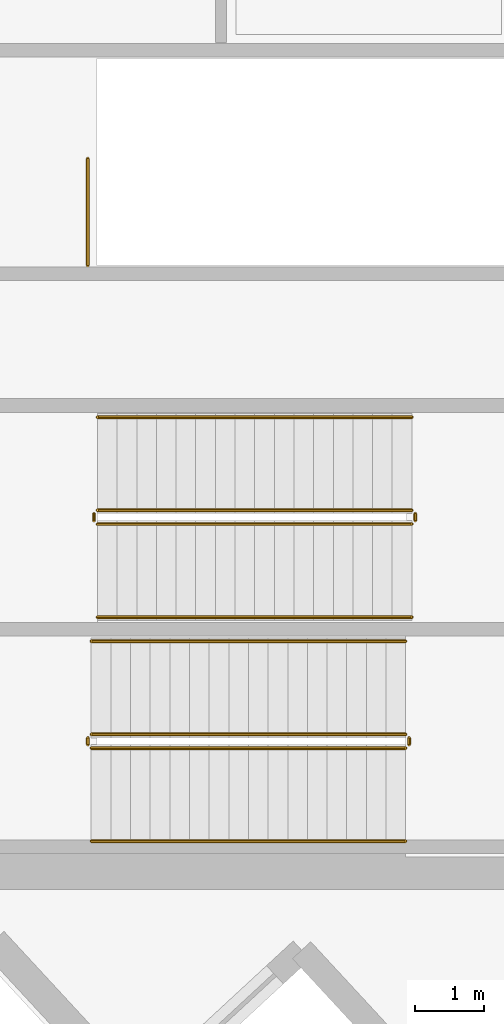
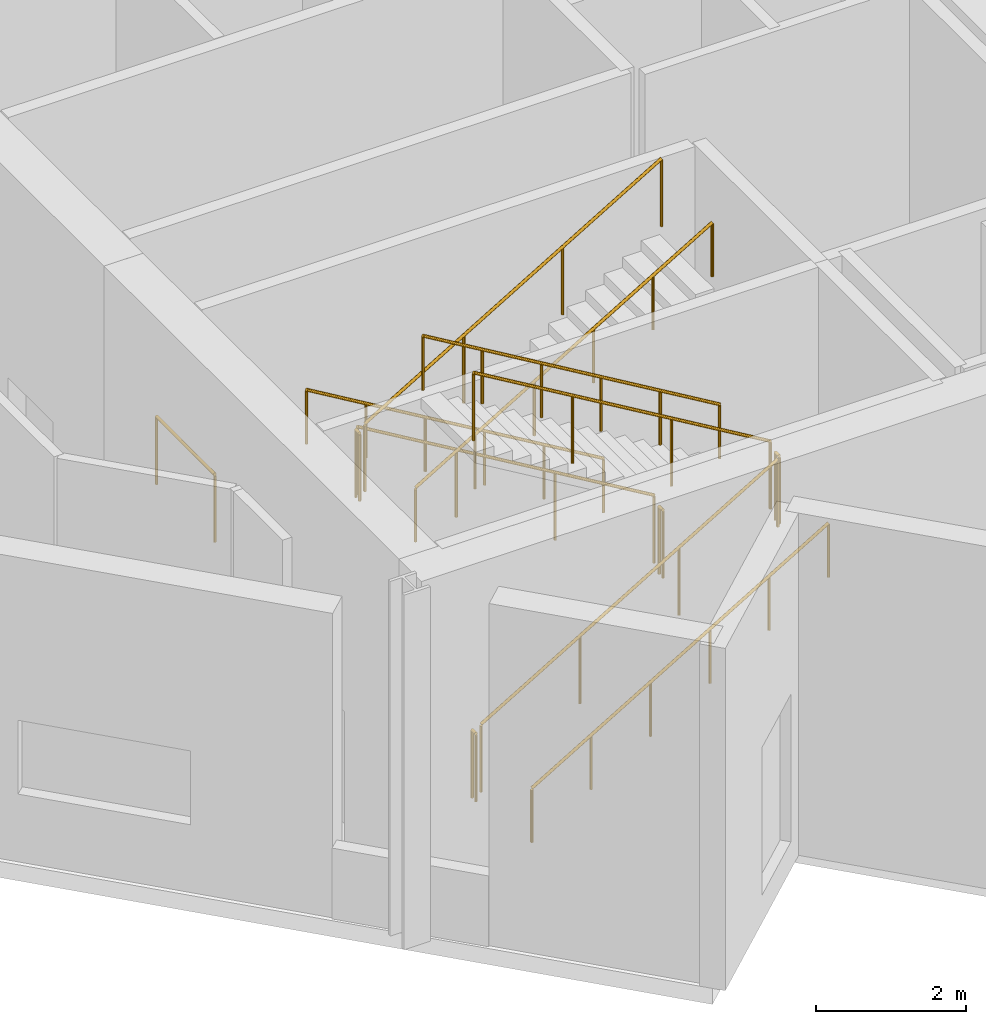
# One storey, part 14 of 15: 13 railings.
"""IFC4 building model written with IfcOpenShell, lengths in metres."""

from ifc_helpers import new_model, si_unit, direction, frame, origin, origin_2d, place, context, subcontext, project, spatial, circle, extrude, material, type_object, element, save


model = new_model("IFC4")

# Units and contexts
model_context = context("Model", 3, precision=1e-05, world=origin(), true_north=direction((0.0, 1.0)))
body_context = subcontext(model_context, "Body", "Model", "MODEL_VIEW")
ifc_project = project(units=[si_unit("LENGTHUNIT", "METRE"), si_unit("AREAUNIT", "SQUARE_METRE"), si_unit("VOLUMEUNIT", "CUBIC_METRE"), si_unit("PLANEANGLEUNIT", "RADIAN"), si_unit("MASSUNIT", "GRAM", prefix="KILO")], contexts=[model_context])

# Site, building, storey
site_placement = place(None, origin())
site = spatial("IfcSite", under=ifc_project, at=site_placement, CompositionType="ELEMENT")
building_placement = place(site_placement, origin())
building = spatial("IfcBuilding", under=site, at=building_placement, Name="Narakoshi Arena Tower", CompositionType="ELEMENT")
storey_placement = place(building_placement, frame((0.0, 0.0, 292.419921875)))
storey = spatial("IfcBuildingStorey", under=building, at=storey_placement, Name="L80", CompositionType="ELEMENT", Elevation=292.419921875)

# Railings
ifc_material_1 = material(Name="Clear low-iron laminated structural glass", Category="glass")
railing_type_1 = type_object("IfcRailingType", Name="RL-BAL-1100", PredefinedType="BALUSTRADE", material=ifc_material_1)
railing_1_placement = place(storey_placement, frame((74.39990234375, 36.949951171875, 0.16943359375)))
element("IfcRailing", 1, at=railing_1_placement, inside=storey, type_object=railing_type_1, Name="L80 ST1 stair guard 1", PredefinedType="BALUSTRADE", context=body_context, shape_type="SweptSolid", body=[
    extrude(circle(Radius=0.02392578125, at=origin_2d()), frame((0.0, 0.0, 1.09619140625), z_axis=(0.859593254499, 0.0, 0.510978900562), x_axis=(0.0, 1.0, 0.0)), (0.0, 0.0, 1.0), 5.304931640625),
    extrude(circle(Radius=0.02099609375, at=origin_2d()), origin(), (0.0, 0.0, 1.0), 1.072021484375),
    extrude(circle(Radius=0.02099609375, at=origin_2d()), frame((1.52001953125, 0.0, 0.903564453125)), (0.0, 0.0, 1.0), 1.072021484375),
    extrude(circle(Radius=0.02099609375, at=origin_2d()), frame((3.0400390625, 0.0, 1.80712890625)), (0.0, 0.0, 1.0), 1.072021484375),
    extrude(circle(Radius=0.02099609375, at=origin_2d()), frame((4.56005859375, 0.0, 2.710693359375)), (0.0, 0.0, 1.0), 1.072021484375),
])
railing_2_placement = place(storey_placement, frame((79.010009765625, 37.0, 2.880126953125)))
element("IfcRailing", 2, at=railing_2_placement, inside=storey, type_object=railing_type_1, Name="L80 ST1 stair guard 2", PredefinedType="BALUSTRADE", context=body_context, shape_type="SweptSolid", body=[
    extrude(circle(Radius=0.02392578125, at=origin_2d()), frame((0.0, 0.0, 1.09619140625), z_axis=(0.0, 1.0, 0.0), x_axis=(-1.0, 0.0, 0.0)), (0.0, 0.0, 1.0), 0.10009765625),
    extrude(circle(Radius=0.02099609375, at=origin_2d()), origin(), (0.0, 0.0, 1.0), 1.072021484375),
    extrude(circle(Radius=0.02099609375, at=origin_2d()), frame((0.0, 0.10009765625, 0.0)), (0.0, 0.0, 1.0), 1.072021484375),
])
railing_3_placement = place(storey_placement, frame((78.9599609375, 37.14990234375, 3.049560546875)))
element("IfcRailing", 3, at=railing_3_placement, inside=storey, type_object=railing_type_1, Name="L80 ST1 stair guard 3", PredefinedType="BALUSTRADE", context=body_context, shape_type="SweptSolid", body=[
    extrude(circle(Radius=0.02392578125, at=origin_2d()), frame((0.0, 0.0, 1.09619140625), z_axis=(-0.859613468596, 0.0, 0.510944893905), x_axis=(0.0, -1.0, 0.0)), (0.0, 0.0, 1.0), 5.3046875),
    extrude(circle(Radius=0.02099609375, at=origin_2d()), origin(), (0.0, 0.0, 1.0), 1.072021484375),
    extrude(circle(Radius=0.02099609375, at=origin_2d()), frame((-1.52001953125, 0.0, 0.903564453125)), (0.0, 0.0, 1.0), 1.072021484375),
    extrude(circle(Radius=0.02099609375, at=origin_2d()), frame((-3.0400390625, 0.0, 1.806884765625)), (0.0, 0.0, 1.0), 1.072021484375),
    extrude(circle(Radius=0.02099609375, at=origin_2d()), frame((-4.56005859375, 0.0, 2.71044921875)), (0.0, 0.0, 1.0), 1.072021484375),
])
railing_4_placement = place(storey_placement, frame((74.35009765625, 37.0, 0.0)))
element("IfcRailing", 4, at=railing_4_placement, inside=storey, type_object=railing_type_1, Name="L80 ST1 stair guard 4", PredefinedType="BALUSTRADE", context=body_context, shape_type="SweptSolid", body=[
    extrude(circle(Radius=0.02392578125, at=origin_2d()), frame((0.0, 0.0, 1.09619140625), z_axis=(0.0, 1.0, 0.0), x_axis=(-1.0, 0.0, 0.0)), (0.0, 0.0, 1.0), 0.10009765625),
    extrude(circle(Radius=0.02099609375, at=origin_2d()), origin(), (0.0, 0.0, 1.0), 1.072021484375),
    extrude(circle(Radius=0.02099609375, at=origin_2d()), frame((0.0, 0.10009765625, 0.0)), (0.0, 0.0, 1.0), 1.072021484375),
])
railing_5_placement = place(storey_placement, frame((79.050048828125, 40.39990234375, 0.16943359375)))
element("IfcRailing", 5, at=railing_5_placement, inside=storey, type_object=railing_type_1, Name="L80 ST2 stair guard 1", PredefinedType="BALUSTRADE", context=body_context, shape_type="SweptSolid", body=[
    extrude(circle(Radius=0.02392578125, at=origin_2d()), frame((0.0, 0.0, 1.09619140625), z_axis=(-0.859593254499, 0.0, 0.510978900562), x_axis=(0.0, -1.0, 0.0)), (0.0, 0.0, 1.0), 5.304931640625),
    extrude(circle(Radius=0.02099609375, at=origin_2d()), origin(), (0.0, 0.0, 1.0), 1.072021484375),
    extrude(circle(Radius=0.02099609375, at=origin_2d()), frame((-1.52001953125, 0.0, 0.903564453125)), (0.0, 0.0, 1.0), 1.072021484375),
    extrude(circle(Radius=0.02099609375, at=origin_2d()), frame((-3.0400390625, 0.0, 1.80712890625)), (0.0, 0.0, 1.0), 1.072021484375),
    extrude(circle(Radius=0.02099609375, at=origin_2d()), frame((-4.56005859375, 0.0, 2.710693359375)), (0.0, 0.0, 1.0), 1.072021484375),
])
railing_6_placement = place(storey_placement, frame((74.43994140625, 40.35009765625, 2.880126953125)))
element("IfcRailing", 6, at=railing_6_placement, inside=storey, type_object=railing_type_1, Name="L80 ST2 stair guard 2", PredefinedType="BALUSTRADE", context=body_context, shape_type="SweptSolid", body=[
    extrude(circle(Radius=0.02392578125, at=origin_2d()), frame((0.0, 0.0, 1.09619140625), z_axis=(0.0, -1.0, 0.0), x_axis=(1.0, 0.0, 0.0)), (0.0, 0.0, 1.0), 0.10009765625),
    extrude(circle(Radius=0.02099609375, at=origin_2d()), origin(), (0.0, 0.0, 1.0), 1.072021484375),
    extrude(circle(Radius=0.02099609375, at=origin_2d()), frame((0.0, -0.10009765625, 0.0)), (0.0, 0.0, 1.0), 1.072021484375),
])
railing_7_placement = place(storey_placement, frame((74.489990234375, 40.199951171875, 3.049560546875)))
element("IfcRailing", 7, at=railing_7_placement, inside=storey, type_object=railing_type_1, Name="L80 ST2 stair guard 3", PredefinedType="BALUSTRADE", context=body_context, shape_type="SweptSolid", body=[
    extrude(circle(Radius=0.02392578125, at=origin_2d()), frame((0.0, 0.0, 1.09619140625), z_axis=(0.859613468596, 0.0, 0.510944893905), x_axis=(0.0, 1.0, 0.0)), (0.0, 0.0, 1.0), 5.3046875),
    extrude(circle(Radius=0.02099609375, at=origin_2d()), origin(), (0.0, 0.0, 1.0), 1.072021484375),
    extrude(circle(Radius=0.02099609375, at=origin_2d()), frame((1.52001953125, 0.0, 0.903564453125)), (0.0, 0.0, 1.0), 1.072021484375),
    extrude(circle(Radius=0.02099609375, at=origin_2d()), frame((3.0400390625, 0.0, 1.806884765625)), (0.0, 0.0, 1.0), 1.072021484375),
    extrude(circle(Radius=0.02099609375, at=origin_2d()), frame((4.56005859375, 0.0, 2.71044921875)), (0.0, 0.0, 1.0), 1.072021484375),
])
railing_8_placement = place(storey_placement, frame((79.10009765625, 40.35009765625, 0.0)))
element("IfcRailing", 8, at=railing_8_placement, inside=storey, type_object=railing_type_1, Name="L80 ST2 stair guard 4", PredefinedType="BALUSTRADE", context=body_context, shape_type="SweptSolid", body=[
    extrude(circle(Radius=0.02392578125, at=origin_2d()), frame((0.0, 0.0, 1.09619140625), z_axis=(0.0, -1.0, 0.0), x_axis=(1.0, 0.0, 0.0)), (0.0, 0.0, 1.0), 0.10009765625),
    extrude(circle(Radius=0.02099609375, at=origin_2d()), origin(), (0.0, 0.0, 1.0), 1.072021484375),
    extrude(circle(Radius=0.02099609375, at=origin_2d()), frame((0.0, -0.10009765625, 0.0)), (0.0, 0.0, 1.0), 1.072021484375),
])
railing_9_placement = place(storey_placement, frame((74.35009765625, 43.949951171875, 0.0)))
element("IfcRailing", 9, at=railing_9_placement, inside=storey, type_object=railing_type_1, Name="L80 ST3 top well guard 1", PredefinedType="BALUSTRADE", context=body_context, shape_type="SweptSolid", body=[
    extrude(circle(Radius=0.02392578125, at=origin_2d()), frame((0.0, 0.0, 1.09619140625), z_axis=(0.0, 1.0, 0.0), x_axis=(-1.0, 0.0, 0.0)), (0.0, 0.0, 1.0), 1.550048828125),
    extrude(circle(Radius=0.02099609375, at=origin_2d()), origin(), (0.0, 0.0, 1.0), 1.072021484375),
    extrude(circle(Radius=0.02099609375, at=origin_2d()), frame((0.0, 1.550048828125, 0.0)), (0.0, 0.0, 1.0), 1.072021484375),
])
ifc_material_2 = material(Name="Brushed bronze stainless steel", Category="steel")
railing_type_2 = type_object("IfcRailingType", Name="RL-HND-900", PredefinedType="HANDRAIL", material=ifc_material_2)
railing_10_placement = place(storey_placement, frame((74.39990234375, 35.60009765625, 0.16943359375)))
element("IfcRailing", 10, at=railing_10_placement, inside=storey, type_object=railing_type_2, Name="L80 ST1 stair handrail 1", PredefinedType="HANDRAIL", context=body_context, shape_type="SweptSolid", body=[
    extrude(circle(Radius=0.02392578125, at=origin_2d()), frame((0.0, 0.0, 0.8759765625), z_axis=(0.859593254499, 0.0, 0.510978900562), x_axis=(0.0, 1.0, 0.0)), (0.0, 0.0, 1.0), 5.304931640625),
    extrude(circle(Radius=0.02099609375, at=origin_2d()), origin(), (0.0, 0.0, 1.0), 0.851806640625),
    extrude(circle(Radius=0.02099609375, at=origin_2d()), frame((0.912109375, 0.0, 0.542236328125)), (0.0, 0.0, 1.0), 0.851806640625),
    extrude(circle(Radius=0.02099609375, at=origin_2d()), frame((1.823974609375, 0.0, 1.084228515625)), (0.0, 0.0, 1.0), 0.851806640625),
    extrude(circle(Radius=0.02099609375, at=origin_2d()), frame((2.736083984375, 0.0, 1.62646484375)), (0.0, 0.0, 1.0), 0.851806640625),
    extrude(circle(Radius=0.02099609375, at=origin_2d()), frame((3.64794921875, 0.0, 2.16845703125)), (0.0, 0.0, 1.0), 0.851806640625),
    extrude(circle(Radius=0.02099609375, at=origin_2d()), frame((4.56005859375, 0.0, 2.710693359375)), (0.0, 0.0, 1.0), 0.851806640625),
])
railing_11_placement = place(storey_placement, frame((78.9599609375, 38.5, 3.049560546875)))
element("IfcRailing", 11, at=railing_11_placement, inside=storey, type_object=railing_type_2, Name="L80 ST1 stair handrail 2", PredefinedType="HANDRAIL", context=body_context, shape_type="SweptSolid", body=[
    extrude(circle(Radius=0.02392578125, at=origin_2d()), frame((0.0, 0.0, 0.8759765625), z_axis=(-0.859613468596, 0.0, 0.510944893905), x_axis=(0.0, -1.0, 0.0)), (0.0, 0.0, 1.0), 5.3046875),
    extrude(circle(Radius=0.02099609375, at=origin_2d()), origin(), (0.0, 0.0, 1.0), 0.851806640625),
    extrude(circle(Radius=0.02099609375, at=origin_2d()), frame((-0.912109375, 0.0, 0.5419921875)), (0.0, 0.0, 1.0), 0.851806640625),
    extrude(circle(Radius=0.02099609375, at=origin_2d()), frame((-1.823974609375, 0.0, 1.084228515625)), (0.0, 0.0, 1.0), 0.851806640625),
    extrude(circle(Radius=0.02099609375, at=origin_2d()), frame((-2.736083984375, 0.0, 1.626220703125)), (0.0, 0.0, 1.0), 0.851806640625),
    extrude(circle(Radius=0.02099609375, at=origin_2d()), frame((-3.64794921875, 0.0, 2.16845703125)), (0.0, 0.0, 1.0), 0.851806640625),
    extrude(circle(Radius=0.02099609375, at=origin_2d()), frame((-4.56005859375, 0.0, 2.71044921875)), (0.0, 0.0, 1.0), 0.851806640625),
])
railing_12_placement = place(storey_placement, frame((79.050048828125, 41.75, 0.16943359375)))
element("IfcRailing", 12, at=railing_12_placement, inside=storey, type_object=railing_type_2, Name="L80 ST2 stair handrail 1", PredefinedType="HANDRAIL", context=body_context, shape_type="SweptSolid", body=[
    extrude(circle(Radius=0.02392578125, at=origin_2d()), frame((0.0, 0.0, 0.8759765625), z_axis=(-0.859593254499, 0.0, 0.510978900562), x_axis=(0.0, -1.0, 0.0)), (0.0, 0.0, 1.0), 5.304931640625),
    extrude(circle(Radius=0.02099609375, at=origin_2d()), origin(), (0.0, 0.0, 1.0), 0.851806640625),
    extrude(circle(Radius=0.02099609375, at=origin_2d()), frame((-0.912109375, 0.0, 0.542236328125)), (0.0, 0.0, 1.0), 0.851806640625),
    extrude(circle(Radius=0.02099609375, at=origin_2d()), frame((-1.823974609375, 0.0, 1.084228515625)), (0.0, 0.0, 1.0), 0.851806640625),
    extrude(circle(Radius=0.02099609375, at=origin_2d()), frame((-2.736083984375, 0.0, 1.62646484375)), (0.0, 0.0, 1.0), 0.851806640625),
    extrude(circle(Radius=0.02099609375, at=origin_2d()), frame((-3.64794921875, 0.0, 2.16845703125)), (0.0, 0.0, 1.0), 0.851806640625),
    extrude(circle(Radius=0.02099609375, at=origin_2d()), frame((-4.56005859375, 0.0, 2.710693359375)), (0.0, 0.0, 1.0), 0.851806640625),
])
railing_13_placement = place(storey_placement, frame((74.489990234375, 38.85009765625, 3.049560546875)))
element("IfcRailing", 13, at=railing_13_placement, inside=storey, type_object=railing_type_2, Name="L80 ST2 stair handrail 2", PredefinedType="HANDRAIL", context=body_context, shape_type="SweptSolid", body=[
    extrude(circle(Radius=0.02392578125, at=origin_2d()), frame((0.0, 0.0, 0.8759765625), z_axis=(0.859613468596, 0.0, 0.510944893905), x_axis=(0.0, 1.0, 0.0)), (0.0, 0.0, 1.0), 5.3046875),
    extrude(circle(Radius=0.02099609375, at=origin_2d()), origin(), (0.0, 0.0, 1.0), 0.851806640625),
    extrude(circle(Radius=0.02099609375, at=origin_2d()), frame((0.912109375, 0.0, 0.5419921875)), (0.0, 0.0, 1.0), 0.851806640625),
    extrude(circle(Radius=0.02099609375, at=origin_2d()), frame((1.823974609375, 0.0, 1.084228515625)), (0.0, 0.0, 1.0), 0.851806640625),
    extrude(circle(Radius=0.02099609375, at=origin_2d()), frame((2.736083984375, 0.0, 1.626220703125)), (0.0, 0.0, 1.0), 0.851806640625),
    extrude(circle(Radius=0.02099609375, at=origin_2d()), frame((3.64794921875, 0.0, 2.16845703125)), (0.0, 0.0, 1.0), 0.851806640625),
    extrude(circle(Radius=0.02099609375, at=origin_2d()), frame((4.56005859375, 0.0, 2.71044921875)), (0.0, 0.0, 1.0), 0.851806640625),
])

save(model, "model.ifc")
